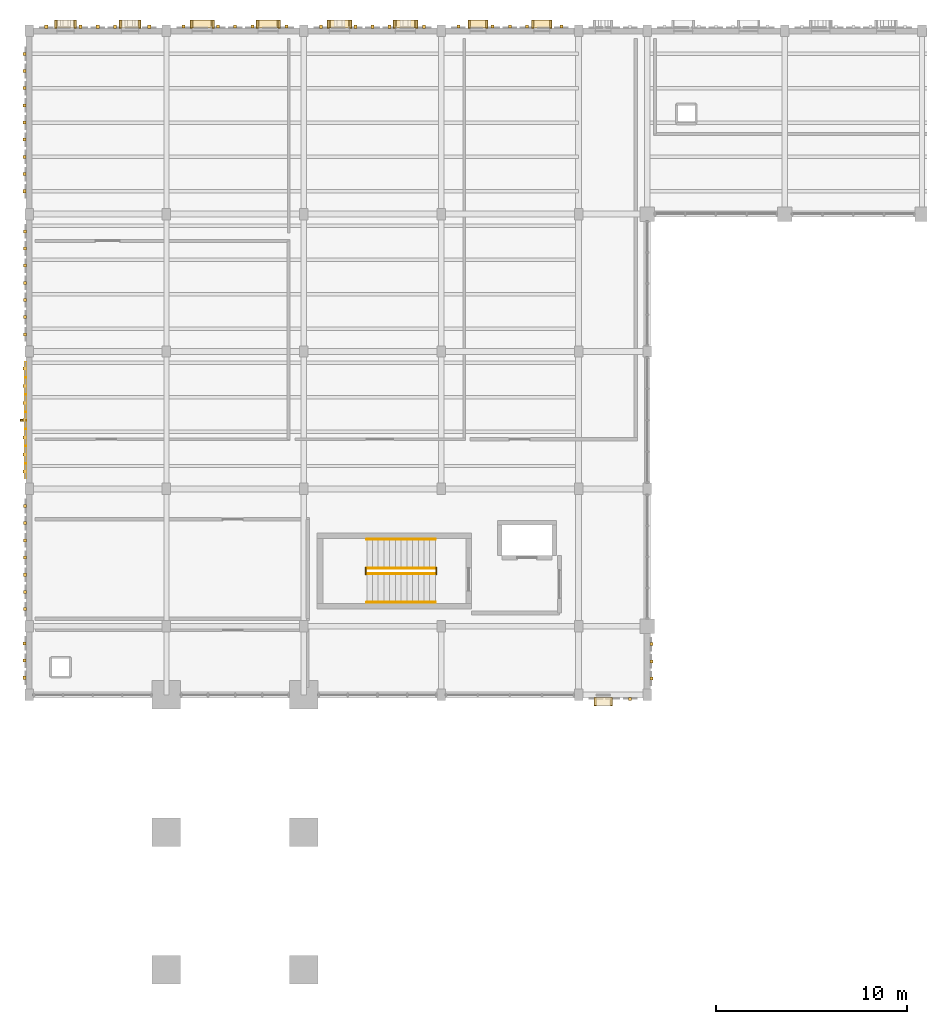
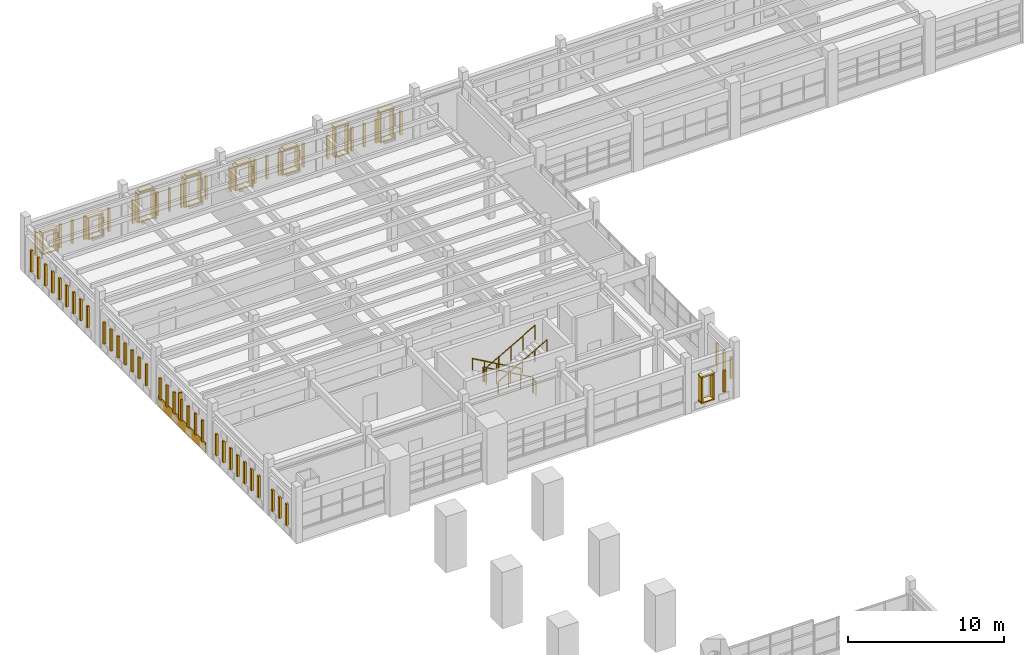
# One storey, part 55 of 69: 98 coverings, 6 railings, 1 shading device.
"""IFC4 building model written with IfcOpenShell, lengths in metres."""

from ifc_helpers import new_model, si_unit, direction, frame, origin, origin_2d, place, context, subcontext, project, spatial, rectangle, circle, extrude, material, layer, layer_set, type_object, element, save


model = new_model("IFC4")

# Units and contexts
model_context = context("Model", 3, precision=1e-05, world=origin(), true_north=direction((0.0, 1.0)))
body_context = subcontext(model_context, "Body", "Model", "MODEL_VIEW")
ifc_project = project(units=[si_unit("LENGTHUNIT", "METRE"), si_unit("AREAUNIT", "SQUARE_METRE"), si_unit("VOLUMEUNIT", "CUBIC_METRE"), si_unit("PLANEANGLEUNIT", "RADIAN"), si_unit("MASSUNIT", "GRAM", prefix="KILO")], contexts=[model_context])

# Site, building, storey
site_placement = place(None, origin())
site = spatial("IfcSite", under=ifc_project, at=site_placement, CompositionType="ELEMENT")
building_placement = place(site_placement, origin())
building = spatial("IfcBuilding", under=site, at=building_placement, Name="Nzembalo Square Collegiate School", CompositionType="ELEMENT")
storey_placement = place(building_placement, frame((0.0, 0.0, 5.10009765625)))
storey = spatial("IfcBuildingStorey", under=building, at=storey_placement, Name="L01", CompositionType="ELEMENT", Elevation=5.10009765625)

# Coverings
ifc_material_1 = material(Name="Glazed cobalt ceramic patterned tile")
ifc_layer_1 = layer(ifc_material_1, 0.074951171875, Name="Glazed cobalt ceramic patterned tile")
ifc_layer_set_1 = layer_set([ifc_layer_1], Name="Glazed cobalt ceramic patterned tile")
covering_type_1 = type_object("IfcCoveringType", Name="CL01", PredefinedType="CLADDING", material=ifc_layer_set_1)
covering_1_placement = place(storey_placement, frame((8.22509765625, 93.60009765625, 0.02001953125), z_axis=(0.0, 0.0, 1.0), x_axis=(1.0, 0.0, 0.0)))
element("IfcCovering", 1, at=covering_1_placement, inside=storey, type_object=covering_type_1, Name="Faience spandrel cladding CL01-0112", PredefinedType="CLADDING", context=body_context, shape_type="SweptSolid", body=[
    extrude(rectangle(XDim=0.034912109375, YDim=6.095947265625, at=origin_2d()), origin(), (0.0, 0.0, 1.0), 0.800048828125),
])
ifc_material_2 = material(Name="Glazed ochre ceramic lancet rib")
ifc_layer_2 = layer(ifc_material_2, 0.159912109375, Name="Glazed ochre ceramic lancet rib")
ifc_layer_set_2 = layer_set([ifc_layer_2], Name="Glazed ochre ceramic lancet rib")
covering_type_2 = type_object("IfcCoveringType", Name="CL02", PredefinedType="CLADDING", material=ifc_layer_set_2)
for number, where, z_axis, x_axis, name in (
    (2, (39.89990234375, 78.97998046875, 0.759765625), (0.0, 0.0, 1.0), (1.0, 0.0, 0.0), "Gothic ceramic rib CL02-X0109-2"),
    (3, (8.169921875, 80.10009765625, 0.759765625), (0.0, 0.0, 1.0), (1.0, 0.0, 0.0), "Gothic ceramic rib CL02-Y0110-0"),
    (4, (8.169921875, 81.0, 0.759765625), (0.0, 0.0, 1.0), (1.0, 0.0, 0.0), "Gothic ceramic rib CL02-Y0110-1"),
    (5, (8.169921875, 81.89990234375, 0.759765625), (0.0, 0.0, 1.0), (1.0, 0.0, 0.0), "Gothic ceramic rib CL02-Y0110-2"),
    (6, (8.179931640625, 83.699951171875, 0.759765625), (0.0, 0.0, 1.0), (1.0, 0.0, 0.0), "Gothic ceramic rib CL02-Y0111-0"),
    (7, (8.179931640625, 84.60009765625, 0.759765625), (0.0, 0.0, 1.0), (1.0, 0.0, 0.0), "Gothic ceramic rib CL02-Y0111-1"),
    (8, (8.179931640625, 85.5, 0.759765625), (0.0, 0.0, 1.0), (1.0, 0.0, 0.0), "Gothic ceramic rib CL02-Y0111-2"),
    (9, (8.179931640625, 86.39990234375, 0.759765625), (0.0, 0.0, 1.0), (1.0, 0.0, 0.0), "Gothic ceramic rib CL02-Y0111-3"),
    (10, (8.179931640625, 87.300048828125, 0.759765625), (0.0, 0.0, 1.0), (1.0, 0.0, 0.0), "Gothic ceramic rib CL02-Y0111-4"),
    (11, (8.179931640625, 88.199951171875, 0.759765625), (0.0, 0.0, 1.0), (1.0, 0.0, 0.0), "Gothic ceramic rib CL02-Y0111-5"),
    (12, (8.179931640625, 89.10009765625, 0.759765625), (0.0, 0.0, 1.0), (1.0, 0.0, 0.0), "Gothic ceramic rib CL02-Y0111-6"),
    (13, (8.169921875, 90.89990234375, 0.759765625), (0.0, 0.0, 1.0), (1.0, 0.0, 0.0), "Gothic ceramic rib CL02-Y0112-0"),
    (14, (8.169921875, 91.800048828125, 0.759765625), (0.0, 0.0, 1.0), (1.0, 0.0, 0.0), "Gothic ceramic rib CL02-Y0112-1"),
    (15, (8.169921875, 92.699951171875, 0.759765625), (0.0, 0.0, 1.0), (1.0, 0.0, 0.0), "Gothic ceramic rib CL02-Y0112-2"),
    (16, (8.169921875, 93.60009765625, 0.759765625), (0.0, 0.0, 1.0), (1.0, 0.0, 0.0), "Gothic ceramic rib CL02-Y0112-3"),
    (17, (8.169921875, 94.5, 0.759765625), (0.0, 0.0, 1.0), (1.0, 0.0, 0.0), "Gothic ceramic rib CL02-Y0112-4"),
    (18, (8.169921875, 95.39990234375, 0.759765625), (0.0, 0.0, 1.0), (1.0, 0.0, 0.0), "Gothic ceramic rib CL02-Y0112-5"),
    (19, (8.169921875, 96.300048828125, 0.759765625), (0.0, 0.0, 1.0), (1.0, 0.0, 0.0), "Gothic ceramic rib CL02-Y0112-6"),
    (20, (8.179931640625, 98.10009765625, 0.759765625), (0.0, 0.0, 1.0), (1.0, 0.0, 0.0), "Gothic ceramic rib CL02-Y0113-0"),
    (21, (8.179931640625, 99.0, 0.759765625), (0.0, 0.0, 1.0), (1.0, 0.0, 0.0), "Gothic ceramic rib CL02-Y0113-1"),
    (22, (8.179931640625, 99.89990234375, 0.759765625), (0.0, 0.0, 1.0), (1.0, 0.0, 0.0), "Gothic ceramic rib CL02-Y0113-2"),
    (23, (8.179931640625, 100.800048828125, 0.759765625), (0.0, 0.0, 1.0), (1.0, 0.0, 0.0), "Gothic ceramic rib CL02-Y0113-3"),
    (24, (8.179931640625, 101.699951171875, 0.759765625), (0.0, 0.0, 1.0), (1.0, 0.0, 0.0), "Gothic ceramic rib CL02-Y0113-4"),
    (25, (8.179931640625, 102.60009765625, 0.759765625), (0.0, 0.0, 1.0), (1.0, 0.0, 0.0), "Gothic ceramic rib CL02-Y0113-5"),
    (26, (8.179931640625, 103.5, 0.759765625), (0.0, 0.0, 1.0), (1.0, 0.0, 0.0), "Gothic ceramic rib CL02-Y0113-6"),
    (27, (8.169921875, 105.60009765625, 0.759765625), (0.0, 0.0, 1.0), (1.0, 0.0, 0.0), "Gothic ceramic rib CL02-Y0114-0"),
    (28, (8.169921875, 106.5, 0.759765625), (0.0, 0.0, 1.0), (1.0, 0.0, 0.0), "Gothic ceramic rib CL02-Y0114-1"),
    (29, (8.169921875, 107.39990234375, 0.759765625), (0.0, 0.0, 1.0), (1.0, 0.0, 0.0), "Gothic ceramic rib CL02-Y0114-2"),
    (30, (8.169921875, 108.300048828125, 0.759765625), (0.0, 0.0, 1.0), (1.0, 0.0, 0.0), "Gothic ceramic rib CL02-Y0114-3"),
    (31, (8.169921875, 109.199951171875, 0.759765625), (0.0, 0.0, 1.0), (1.0, 0.0, 0.0), "Gothic ceramic rib CL02-Y0114-4"),
    (32, (8.169921875, 110.10009765625, 0.759765625), (0.0, 0.0, 1.0), (1.0, 0.0, 0.0), "Gothic ceramic rib CL02-Y0114-5"),
    (33, (8.169921875, 111.0, 0.759765625), (0.0, 0.0, 1.0), (1.0, 0.0, 0.0), "Gothic ceramic rib CL02-Y0114-6"),
    (34, (8.169921875, 111.89990234375, 0.759765625), (0.0, 0.0, 1.0), (1.0, 0.0, 0.0), "Gothic ceramic rib CL02-Y0114-7"),
    (35, (8.169921875, 112.800048828125, 0.759765625), (0.0, 0.0, 1.0), (1.0, 0.0, 0.0), "Gothic ceramic rib CL02-Y0114-8"),
):
    element("IfcCovering", number, at=place(storey_placement, frame(where, z_axis=z_axis, x_axis=x_axis)), inside=storey, type_object=covering_type_2, Name=name, PredefinedType="CLADDING", context=body_context, shape_type="SweptSolid", body=[
        extrude(rectangle(XDim=0.159912109375, YDim=0.159912109375, at=origin_2d()), origin(), (0.0, 0.0, 1.0), 1.674072265625),
    ])
for number, where, z_axis, x_axis, name in (
    (36, (9.300048828125, 114.219970703125, 0.760009765625), (0.0, 0.0, 1.0), (1.0, 0.0, 0.0), "Gothic ceramic rib CL02-X0115-0"),
    (37, (11.10009765625, 114.219970703125, 0.760009765625), (0.0, 0.0, 1.0), (1.0, 0.0, 0.0), "Gothic ceramic rib CL02-X0115-2"),
    (38, (12.0, 114.219970703125, 0.760009765625), (0.0, 0.0, 1.0), (1.0, 0.0, 0.0), "Gothic ceramic rib CL02-X0115-3"),
    (39, (12.89990234375, 114.219970703125, 0.760009765625), (0.0, 0.0, 1.0), (1.0, 0.0, 0.0), "Gothic ceramic rib CL02-X0115-4"),
    (40, (14.699951171875, 114.219970703125, 0.760009765625), (0.0, 0.0, 1.0), (1.0, 0.0, 0.0), "Gothic ceramic rib CL02-X0115-6"),
    (41, (16.5, 114.22998046875, 0.760009765625), (0.0, 0.0, 1.0), (1.0, 0.0, 0.0), "Gothic ceramic rib CL02-X0116-0"),
    (42, (18.300048828125, 114.22998046875, 0.760009765625), (0.0, 0.0, 1.0), (1.0, 0.0, 0.0), "Gothic ceramic rib CL02-X0116-2"),
    (43, (19.199951171875, 114.22998046875, 0.760009765625), (0.0, 0.0, 1.0), (1.0, 0.0, 0.0), "Gothic ceramic rib CL02-X0116-3"),
    (44, (20.10009765625, 114.22998046875, 0.760009765625), (0.0, 0.0, 1.0), (1.0, 0.0, 0.0), "Gothic ceramic rib CL02-X0116-4"),
    (45, (21.89990234375, 114.22998046875, 0.760009765625), (0.0, 0.0, 1.0), (1.0, 0.0, 0.0), "Gothic ceramic rib CL02-X0116-6"),
    (46, (23.699951171875, 114.219970703125, 0.760009765625), (0.0, 0.0, 1.0), (1.0, 0.0, 0.0), "Gothic ceramic rib CL02-X0117-0"),
    (47, (25.5, 114.219970703125, 0.760009765625), (0.0, 0.0, 1.0), (1.0, 0.0, 0.0), "Gothic ceramic rib CL02-X0117-2"),
    (48, (26.39990234375, 114.219970703125, 0.760009765625), (0.0, 0.0, 1.0), (1.0, 0.0, 0.0), "Gothic ceramic rib CL02-X0117-3"),
    (49, (27.300048828125, 114.219970703125, 0.760009765625), (0.0, 0.0, 1.0), (1.0, 0.0, 0.0), "Gothic ceramic rib CL02-X0117-4"),
    (50, (29.10009765625, 114.219970703125, 0.760009765625), (0.0, 0.0, 1.0), (1.0, 0.0, 0.0), "Gothic ceramic rib CL02-X0117-6"),
    (51, (30.89990234375, 114.22998046875, 0.760009765625), (0.0, 0.0, 1.0), (1.0, 0.0, 0.0), "Gothic ceramic rib CL02-X0118-0"),
    (52, (32.699951171875, 114.22998046875, 0.760009765625), (0.0, 0.0, 1.0), (1.0, 0.0, 0.0), "Gothic ceramic rib CL02-X0118-2"),
    (53, (33.60009765625, 114.22998046875, 0.760009765625), (0.0, 0.0, 1.0), (1.0, 0.0, 0.0), "Gothic ceramic rib CL02-X0118-3"),
    (54, (34.5, 114.22998046875, 0.760009765625), (0.0, 0.0, 1.0), (1.0, 0.0, 0.0), "Gothic ceramic rib CL02-X0118-4"),
    (55, (36.300048828125, 114.22998046875, 0.760009765625), (0.0, 0.0, 1.0), (1.0, 0.0, 0.0), "Gothic ceramic rib CL02-X0118-6"),
):
    element("IfcCovering", number, at=place(storey_placement, frame(where, z_axis=z_axis, x_axis=x_axis)), inside=storey, type_object=covering_type_2, Name=name, PredefinedType="CLADDING", context=body_context, shape_type="SweptSolid", body=[
        extrude(rectangle(XDim=0.159912109375, YDim=0.159912109375, at=origin_2d()), origin(), (0.0, 0.0, 1.0), 1.833984375),
    ])
for number, where, z_axis, x_axis, name in (
    (56, (41.030029296875, 80.0625, 0.759765625), (0.0, 0.0, 1.0), (1.0, 0.0, 0.0), "Gothic ceramic rib CL02-Y0146-0"),
    (57, (41.030029296875, 80.96240234375, 0.759765625), (0.0, 0.0, 1.0), (1.0, 0.0, 0.0), "Gothic ceramic rib CL02-Y0146-1"),
    (58, (41.030029296875, 81.862548828125, 0.759765625), (0.0, 0.0, 1.0), (1.0, 0.0, 0.0), "Gothic ceramic rib CL02-Y0146-2"),
):
    element("IfcCovering", number, at=place(storey_placement, frame(where, z_axis=z_axis, x_axis=x_axis)), inside=storey, type_object=covering_type_2, Name=name, PredefinedType="CLADDING", context=body_context, shape_type="SweptSolid", body=[
        extrude(rectangle(XDim=0.159912109375, YDim=0.159912109375, at=origin_2d()), origin(), (0.0, 0.0, 1.0), 1.674072265625),
    ])
ifc_material_3 = material(Name="Glazed celadon ceramic window frame")
ifc_layer_3 = layer(ifc_material_3, 0.419921875, Name="Glazed celadon ceramic window frame")
ifc_layer_set_3 = layer_set([ifc_layer_3], Name="Glazed celadon ceramic window frame")
covering_type_3 = type_object("IfcCoveringType", Name="WF01", PredefinedType="CLADDING", material=ifc_layer_set_3)
covering_2_placement = place(storey_placement, frame((38.497314453125, 78.844970703125, 2.65478515625), z_axis=(0.0, 0.0, 1.0), x_axis=(1.0, 0.0, 0.0)))
element("IfcCovering", 59, at=covering_2_placement, inside=storey, type_object=covering_type_3, Name="Deep lancet window hood WF01-0224", PredefinedType="CLADDING", context=body_context, shape_type="SweptSolid", body=[
    extrude(rectangle(XDim=0.989990234375, YDim=0.419921875, at=origin_2d()), origin(), (0.0, 0.0, 1.0), 0.110107421875),
])
covering_3_placement = place(storey_placement, frame((38.497314453125, 78.844970703125, 0.65478515625), z_axis=(0.0, 0.0, 1.0), x_axis=(1.0, 0.0, 0.0)))
element("IfcCovering", 60, at=covering_3_placement, inside=storey, type_object=covering_type_3, Name="Deep lancet window sill WF01-0224", PredefinedType="CLADDING", context=body_context, shape_type="SweptSolid", body=[
    extrude(rectangle(XDim=0.989990234375, YDim=0.419921875, at=origin_2d()), origin(), (0.0, 0.0, 1.0), 0.090087890625),
])
for number, where, z_axis, x_axis, name in (
    (61, (38.0673828125, 78.844970703125, 0.75), (0.0, 0.0, 1.0), (1.0, 0.0, 0.0), "Deep lancet window jamb WF01-0224L"),
    (62, (38.92724609375, 78.844970703125, 0.75), (0.0, 0.0, 1.0), (1.0, 0.0, 0.0), "Deep lancet window jamb WF01-0224R"),
):
    element("IfcCovering", number, at=place(storey_placement, frame(where, z_axis=z_axis, x_axis=x_axis)), inside=storey, type_object=covering_type_3, Name=name, PredefinedType="CLADDING", context=body_context, shape_type="SweptSolid", body=[
        extrude(rectangle(XDim=0.10009765625, YDim=0.419921875, at=origin_2d()), origin(), (0.0, 0.0, 1.0), 1.89990234375),
    ])
covering_4_placement = place(storey_placement, frame((10.30859375, 114.35498046875, 2.3046875), z_axis=(0.0, 0.0, 1.0), x_axis=(1.0, 0.0, 0.0)))
element("IfcCovering", 63, at=covering_4_placement, inside=storey, type_object=covering_type_3, Name="Deep lancet window hood WF01-0231", PredefinedType="CLADDING", context=body_context, shape_type="SweptSolid", body=[
    extrude(rectangle(XDim=1.139892578125, YDim=0.419921875, at=origin_2d()), origin(), (0.0, 0.0, 1.0), 0.110107421875),
])
covering_5_placement = place(storey_placement, frame((10.30859375, 114.35498046875, 0.65478515625), z_axis=(0.0, 0.0, 1.0), x_axis=(1.0, 0.0, 0.0)))
element("IfcCovering", 64, at=covering_5_placement, inside=storey, type_object=covering_type_3, Name="Deep lancet window sill WF01-0231", PredefinedType="CLADDING", context=body_context, shape_type="SweptSolid", body=[
    extrude(rectangle(XDim=1.139892578125, YDim=0.419921875, at=origin_2d()), origin(), (0.0, 0.0, 1.0), 0.090087890625),
])
for number, where, z_axis, x_axis, name in (
    (65, (9.803466796875, 114.35498046875, 0.75), (0.0, 0.0, 1.0), (1.0, 0.0, 0.0), "Deep lancet window jamb WF01-0231L"),
    (66, (10.8134765625, 114.35498046875, 0.75), (0.0, 0.0, 1.0), (1.0, 0.0, 0.0), "Deep lancet window jamb WF01-0231R"),
):
    element("IfcCovering", number, at=place(storey_placement, frame(where, z_axis=z_axis, x_axis=x_axis)), inside=storey, type_object=covering_type_3, Name=name, PredefinedType="CLADDING", context=body_context, shape_type="SweptSolid", body=[
        extrude(rectangle(XDim=0.10009765625, YDim=0.419921875, at=origin_2d()), origin(), (0.0, 0.0, 1.0), 1.550048828125),
    ])
covering_6_placement = place(storey_placement, frame((13.69140625, 114.35498046875, 2.3046875), z_axis=(0.0, 0.0, 1.0), x_axis=(1.0, 0.0, 0.0)))
element("IfcCovering", 67, at=covering_6_placement, inside=storey, type_object=covering_type_3, Name="Deep lancet window hood WF01-0232", PredefinedType="CLADDING", context=body_context, shape_type="SweptSolid", body=[
    extrude(rectangle(XDim=1.139892578125, YDim=0.419921875, at=origin_2d()), origin(), (0.0, 0.0, 1.0), 0.110107421875),
])
covering_7_placement = place(storey_placement, frame((13.69140625, 114.35498046875, 0.65478515625), z_axis=(0.0, 0.0, 1.0), x_axis=(1.0, 0.0, 0.0)))
element("IfcCovering", 68, at=covering_7_placement, inside=storey, type_object=covering_type_3, Name="Deep lancet window sill WF01-0232", PredefinedType="CLADDING", context=body_context, shape_type="SweptSolid", body=[
    extrude(rectangle(XDim=1.139892578125, YDim=0.419921875, at=origin_2d()), origin(), (0.0, 0.0, 1.0), 0.090087890625),
])
for number, where, z_axis, x_axis, name in (
    (69, (13.1865234375, 114.35498046875, 0.75), (0.0, 0.0, 1.0), (1.0, 0.0, 0.0), "Deep lancet window jamb WF01-0232L"),
    (70, (14.196533203125, 114.35498046875, 0.75), (0.0, 0.0, 1.0), (1.0, 0.0, 0.0), "Deep lancet window jamb WF01-0232R"),
):
    element("IfcCovering", number, at=place(storey_placement, frame(where, z_axis=z_axis, x_axis=x_axis)), inside=storey, type_object=covering_type_3, Name=name, PredefinedType="CLADDING", context=body_context, shape_type="SweptSolid", body=[
        extrude(rectangle(XDim=0.10009765625, YDim=0.419921875, at=origin_2d()), origin(), (0.0, 0.0, 1.0), 1.550048828125),
    ])
covering_8_placement = place(storey_placement, frame((17.470947265625, 114.364990234375, 2.85498046875), z_axis=(0.0, 0.0, 1.0), x_axis=(1.0, 0.0, 0.0)))
element("IfcCovering", 71, at=covering_8_placement, inside=storey, type_object=covering_type_3, Name="Deep lancet window hood WF01-0233", PredefinedType="CLADDING", context=body_context, shape_type="SweptSolid", body=[
    extrude(rectangle(XDim=1.2900390625, YDim=0.419921875, at=origin_2d()), origin(), (0.0, 0.0, 1.0), 0.110107421875),
])
covering_9_placement = place(storey_placement, frame((17.470947265625, 114.364990234375, 2.9599609375), z_axis=(0.0, 0.0, 1.0), x_axis=(1.0, 0.0, 0.0)))
element("IfcCovering", 72, at=covering_9_placement, inside=storey, type_object=covering_type_3, Name="Pointed lancet gable WF01-0233-1", PredefinedType="CLADDING", context=body_context, shape_type="SweptSolid", body=[
    extrude(rectangle(XDim=0.949951171875, YDim=0.419921875, at=origin_2d()), origin(), (0.0, 0.0, 1.0), 0.1201171875),
])
covering_10_placement = place(storey_placement, frame((17.470947265625, 114.364990234375, 0.65478515625), z_axis=(0.0, 0.0, 1.0), x_axis=(1.0, 0.0, 0.0)))
element("IfcCovering", 73, at=covering_10_placement, inside=storey, type_object=covering_type_3, Name="Deep lancet window sill WF01-0233", PredefinedType="CLADDING", context=body_context, shape_type="SweptSolid", body=[
    extrude(rectangle(XDim=1.2900390625, YDim=0.419921875, at=origin_2d()), origin(), (0.0, 0.0, 1.0), 0.090087890625),
])
for number, where, z_axis, x_axis, name in (
    (74, (16.89111328125, 114.364990234375, 0.749755859375), (0.0, 0.0, 1.0), (1.0, 0.0, 0.0), "Deep lancet window jamb WF01-0233L"),
    (75, (18.051025390625, 114.364990234375, 0.749755859375), (0.0, 0.0, 1.0), (1.0, 0.0, 0.0), "Deep lancet window jamb WF01-0233R"),
):
    element("IfcCovering", number, at=place(storey_placement, frame(where, z_axis=z_axis, x_axis=x_axis)), inside=storey, type_object=covering_type_3, Name=name, PredefinedType="CLADDING", context=body_context, shape_type="SweptSolid", body=[
        extrude(rectangle(XDim=0.10009765625, YDim=0.419921875, at=origin_2d()), origin(), (0.0, 0.0, 1.0), 2.10009765625),
    ])
covering_11_placement = place(storey_placement, frame((20.928955078125, 114.364990234375, 2.85498046875), z_axis=(0.0, 0.0, 1.0), x_axis=(1.0, 0.0, 0.0)))
element("IfcCovering", 76, at=covering_11_placement, inside=storey, type_object=covering_type_3, Name="Deep lancet window hood WF01-0234", PredefinedType="CLADDING", context=body_context, shape_type="SweptSolid", body=[
    extrude(rectangle(XDim=1.2900390625, YDim=0.419921875, at=origin_2d()), origin(), (0.0, 0.0, 1.0), 0.110107421875),
])
covering_12_placement = place(storey_placement, frame((20.928955078125, 114.364990234375, 2.9599609375), z_axis=(0.0, 0.0, 1.0), x_axis=(1.0, 0.0, 0.0)))
element("IfcCovering", 77, at=covering_12_placement, inside=storey, type_object=covering_type_3, Name="Pointed lancet gable WF01-0234-1", PredefinedType="CLADDING", context=body_context, shape_type="SweptSolid", body=[
    extrude(rectangle(XDim=0.949951171875, YDim=0.419921875, at=origin_2d()), origin(), (0.0, 0.0, 1.0), 0.1201171875),
])
covering_13_placement = place(storey_placement, frame((20.928955078125, 114.364990234375, 0.65478515625), z_axis=(0.0, 0.0, 1.0), x_axis=(1.0, 0.0, 0.0)))
element("IfcCovering", 78, at=covering_13_placement, inside=storey, type_object=covering_type_3, Name="Deep lancet window sill WF01-0234", PredefinedType="CLADDING", context=body_context, shape_type="SweptSolid", body=[
    extrude(rectangle(XDim=1.2900390625, YDim=0.419921875, at=origin_2d()), origin(), (0.0, 0.0, 1.0), 0.090087890625),
])
for number, where, z_axis, x_axis, name in (
    (79, (20.34912109375, 114.364990234375, 0.749755859375), (0.0, 0.0, 1.0), (1.0, 0.0, 0.0), "Deep lancet window jamb WF01-0234L"),
    (80, (21.509033203125, 114.364990234375, 0.749755859375), (0.0, 0.0, 1.0), (1.0, 0.0, 0.0), "Deep lancet window jamb WF01-0234R"),
):
    element("IfcCovering", number, at=place(storey_placement, frame(where, z_axis=z_axis, x_axis=x_axis)), inside=storey, type_object=covering_type_3, Name=name, PredefinedType="CLADDING", context=body_context, shape_type="SweptSolid", body=[
        extrude(rectangle(XDim=0.10009765625, YDim=0.419921875, at=origin_2d()), origin(), (0.0, 0.0, 1.0), 2.10009765625),
    ])
covering_14_placement = place(storey_placement, frame((24.6708984375, 114.35498046875, 2.455078125), z_axis=(0.0, 0.0, 1.0), x_axis=(1.0, 0.0, 0.0)))
element("IfcCovering", 81, at=covering_14_placement, inside=storey, type_object=covering_type_3, Name="Deep lancet window hood WF01-0235", PredefinedType="CLADDING", context=body_context, shape_type="SweptSolid", body=[
    extrude(rectangle(XDim=1.2900390625, YDim=0.419921875, at=origin_2d()), origin(), (0.0, 0.0, 1.0), 0.110107421875),
])
covering_15_placement = place(storey_placement, frame((24.6708984375, 114.35498046875, 2.559814453125), z_axis=(0.0, 0.0, 1.0), x_axis=(1.0, 0.0, 0.0)))
element("IfcCovering", 82, at=covering_15_placement, inside=storey, type_object=covering_type_3, Name="Pointed lancet gable WF01-0235-1", PredefinedType="CLADDING", context=body_context, shape_type="SweptSolid", body=[
    extrude(rectangle(XDim=0.949951171875, YDim=0.419921875, at=origin_2d()), origin(), (0.0, 0.0, 1.0), 0.1201171875),
])
covering_16_placement = place(storey_placement, frame((24.6708984375, 114.35498046875, 0.65478515625), z_axis=(0.0, 0.0, 1.0), x_axis=(1.0, 0.0, 0.0)))
element("IfcCovering", 83, at=covering_16_placement, inside=storey, type_object=covering_type_3, Name="Deep lancet window sill WF01-0235", PredefinedType="CLADDING", context=body_context, shape_type="SweptSolid", body=[
    extrude(rectangle(XDim=1.2900390625, YDim=0.419921875, at=origin_2d()), origin(), (0.0, 0.0, 1.0), 0.090087890625),
])
for number, where, z_axis, x_axis, name in (
    (84, (24.091064453125, 114.35498046875, 0.75), (0.0, 0.0, 1.0), (1.0, 0.0, 0.0), "Deep lancet window jamb WF01-0235L"),
    (85, (25.2509765625, 114.35498046875, 0.75), (0.0, 0.0, 1.0), (1.0, 0.0, 0.0), "Deep lancet window jamb WF01-0235R"),
):
    element("IfcCovering", number, at=place(storey_placement, frame(where, z_axis=z_axis, x_axis=x_axis)), inside=storey, type_object=covering_type_3, Name=name, PredefinedType="CLADDING", context=body_context, shape_type="SweptSolid", body=[
        extrude(rectangle(XDim=0.10009765625, YDim=0.419921875, at=origin_2d()), origin(), (0.0, 0.0, 1.0), 1.699951171875),
    ])
covering_17_placement = place(storey_placement, frame((28.12890625, 114.35498046875, 2.455078125), z_axis=(0.0, 0.0, 1.0), x_axis=(1.0, 0.0, 0.0)))
element("IfcCovering", 86, at=covering_17_placement, inside=storey, type_object=covering_type_3, Name="Deep lancet window hood WF01-0236", PredefinedType="CLADDING", context=body_context, shape_type="SweptSolid", body=[
    extrude(rectangle(XDim=1.2900390625, YDim=0.419921875, at=origin_2d()), origin(), (0.0, 0.0, 1.0), 0.110107421875),
])
covering_18_placement = place(storey_placement, frame((28.12890625, 114.35498046875, 2.559814453125), z_axis=(0.0, 0.0, 1.0), x_axis=(1.0, 0.0, 0.0)))
element("IfcCovering", 87, at=covering_18_placement, inside=storey, type_object=covering_type_3, Name="Pointed lancet gable WF01-0236-1", PredefinedType="CLADDING", context=body_context, shape_type="SweptSolid", body=[
    extrude(rectangle(XDim=0.949951171875, YDim=0.419921875, at=origin_2d()), origin(), (0.0, 0.0, 1.0), 0.1201171875),
])
covering_19_placement = place(storey_placement, frame((28.12890625, 114.35498046875, 0.65478515625), z_axis=(0.0, 0.0, 1.0), x_axis=(1.0, 0.0, 0.0)))
element("IfcCovering", 88, at=covering_19_placement, inside=storey, type_object=covering_type_3, Name="Deep lancet window sill WF01-0236", PredefinedType="CLADDING", context=body_context, shape_type="SweptSolid", body=[
    extrude(rectangle(XDim=1.2900390625, YDim=0.419921875, at=origin_2d()), origin(), (0.0, 0.0, 1.0), 0.090087890625),
])
for number, where, z_axis, x_axis, name in (
    (89, (27.549072265625, 114.35498046875, 0.75), (0.0, 0.0, 1.0), (1.0, 0.0, 0.0), "Deep lancet window jamb WF01-0236L"),
    (90, (28.708984375, 114.35498046875, 0.75), (0.0, 0.0, 1.0), (1.0, 0.0, 0.0), "Deep lancet window jamb WF01-0236R"),
):
    element("IfcCovering", number, at=place(storey_placement, frame(where, z_axis=z_axis, x_axis=x_axis)), inside=storey, type_object=covering_type_3, Name=name, PredefinedType="CLADDING", context=body_context, shape_type="SweptSolid", body=[
        extrude(rectangle(XDim=0.10009765625, YDim=0.419921875, at=origin_2d()), origin(), (0.0, 0.0, 1.0), 1.699951171875),
    ])
covering_20_placement = place(storey_placement, frame((31.928466796875, 114.364990234375, 2.974609375), z_axis=(0.0, 0.0, 1.0), x_axis=(1.0, 0.0, 0.0)))
element("IfcCovering", 91, at=covering_20_placement, inside=storey, type_object=covering_type_3, Name="Deep lancet window hood WF01-0258", PredefinedType="CLADDING", context=body_context, shape_type="SweptSolid", body=[
    extrude(rectangle(XDim=1.06005859375, YDim=0.419921875, at=origin_2d()), origin(), (0.0, 0.0, 1.0), 0.110107421875),
])
covering_21_placement = place(storey_placement, frame((31.928466796875, 114.364990234375, 0.65478515625), z_axis=(0.0, 0.0, 1.0), x_axis=(1.0, 0.0, 0.0)))
element("IfcCovering", 92, at=covering_21_placement, inside=storey, type_object=covering_type_3, Name="Deep lancet window sill WF01-0258", PredefinedType="CLADDING", context=body_context, shape_type="SweptSolid", body=[
    extrude(rectangle(XDim=1.06005859375, YDim=0.419921875, at=origin_2d()), origin(), (0.0, 0.0, 1.0), 0.090087890625),
])
for number, where, z_axis, x_axis, name in (
    (93, (31.46337890625, 114.364990234375, 0.75), (0.0, 0.0, 1.0), (1.0, 0.0, 0.0), "Deep lancet window jamb WF01-0258L"),
    (94, (32.3935546875, 114.364990234375, 0.75), (0.0, 0.0, 1.0), (1.0, 0.0, 0.0), "Deep lancet window jamb WF01-0258R"),
):
    element("IfcCovering", number, at=place(storey_placement, frame(where, z_axis=z_axis, x_axis=x_axis)), inside=storey, type_object=covering_type_3, Name=name, PredefinedType="CLADDING", context=body_context, shape_type="SweptSolid", body=[
        extrude(rectangle(XDim=0.10009765625, YDim=0.419921875, at=origin_2d()), origin(), (0.0, 0.0, 1.0), 2.219970703125),
    ])
covering_22_placement = place(storey_placement, frame((35.271484375, 114.364990234375, 2.974609375), z_axis=(0.0, 0.0, 1.0), x_axis=(1.0, 0.0, 0.0)))
element("IfcCovering", 95, at=covering_22_placement, inside=storey, type_object=covering_type_3, Name="Deep lancet window hood WF01-0259", PredefinedType="CLADDING", context=body_context, shape_type="SweptSolid", body=[
    extrude(rectangle(XDim=1.06005859375, YDim=0.419921875, at=origin_2d()), origin(), (0.0, 0.0, 1.0), 0.110107421875),
])
covering_23_placement = place(storey_placement, frame((35.271484375, 114.364990234375, 0.65478515625), z_axis=(0.0, 0.0, 1.0), x_axis=(1.0, 0.0, 0.0)))
element("IfcCovering", 96, at=covering_23_placement, inside=storey, type_object=covering_type_3, Name="Deep lancet window sill WF01-0259", PredefinedType="CLADDING", context=body_context, shape_type="SweptSolid", body=[
    extrude(rectangle(XDim=1.06005859375, YDim=0.419921875, at=origin_2d()), origin(), (0.0, 0.0, 1.0), 0.090087890625),
])
for number, where, z_axis, x_axis, name in (
    (97, (34.806396484375, 114.364990234375, 0.75), (0.0, 0.0, 1.0), (1.0, 0.0, 0.0), "Deep lancet window jamb WF01-0259L"),
    (98, (35.736572265625, 114.364990234375, 0.75), (0.0, 0.0, 1.0), (1.0, 0.0, 0.0), "Deep lancet window jamb WF01-0259R"),
):
    element("IfcCovering", number, at=place(storey_placement, frame(where, z_axis=z_axis, x_axis=x_axis)), inside=storey, type_object=covering_type_3, Name=name, PredefinedType="CLADDING", context=body_context, shape_type="SweptSolid", body=[
        extrude(rectangle(XDim=0.10009765625, YDim=0.419921875, at=origin_2d()), origin(), (0.0, 0.0, 1.0), 2.219970703125),
    ])

# Railings
ifc_material_4 = material(Name="Steel S355", Category="steel")
railing_type_1 = type_object("IfcRailingType", Name="GR01", PredefinedType="GUARDRAIL", material=ifc_material_4)
railing_1_placement = place(storey_placement, frame((29.699951171875, 85.85009765625, 0.159912109375)))
element("IfcRailing", 99, at=railing_1_placement, inside=storey, type_object=railing_type_1, Name="Stair guard GR-07-1", PredefinedType="GUARDRAIL", context=body_context, shape_type="SweptSolid", body=[
    extrude(circle(Radius=0.02392578125, at=origin_2d()), frame((0.0, 0.0, 1.1259765625), z_axis=(-0.870009531279, 0.0, 0.493034902907), x_axis=(0.0, -1.0, 0.0)), (0.0, 0.0, 1.0), 4.1376953125),
    extrude(circle(Radius=0.02099609375, at=origin_2d()), origin(), (0.0, 0.0, 1.0), 1.101806640625),
    extrude(circle(Radius=0.02099609375, at=origin_2d()), frame((-0.89990234375, 0.0, 0.510009765625)), (0.0, 0.0, 1.0), 1.101806640625),
    extrude(circle(Radius=0.02099609375, at=origin_2d()), frame((-1.7998046875, 0.0, 1.02001953125)), (0.0, 0.0, 1.0), 1.101806640625),
    extrude(circle(Radius=0.02099609375, at=origin_2d()), frame((-2.699951171875, 0.0, 1.530029296875)), (0.0, 0.0, 1.0), 1.101806640625),
    extrude(circle(Radius=0.02099609375, at=origin_2d()), frame((-3.599853515625, 0.0, 2.0400390625)), (0.0, 0.0, 1.0), 1.101806640625),
])
railing_2_placement = place(storey_placement, frame((26.050048828125, 85.52001953125, 2.204833984375)))
element("IfcRailing", 100, at=railing_2_placement, inside=storey, type_object=railing_type_1, Name="Stair guard GR-07-2", PredefinedType="GUARDRAIL", context=body_context, shape_type="SweptSolid", body=[
    extrude(circle(Radius=0.02392578125, at=origin_2d()), frame((0.0, 0.0, 1.1259765625), z_axis=(0.0, 1.0, 0.0), x_axis=(-1.0, 0.0, 0.0)), (0.0, 0.0, 1.0), 0.35986328125),
    extrude(circle(Radius=0.02099609375, at=origin_2d()), origin(), (0.0, 0.0, 1.0), 1.101806640625),
    extrude(circle(Radius=0.02099609375, at=origin_2d()), frame((0.0, 0.35986328125, 0.0)), (0.0, 0.0, 1.0), 1.101806640625),
])
railing_3_placement = place(storey_placement, frame((26.10009765625, 85.550048828125, 2.369873046875)))
element("IfcRailing", 101, at=railing_3_placement, inside=storey, type_object=railing_type_1, Name="Stair guard GR-07-3", PredefinedType="GUARDRAIL", context=body_context, shape_type="SweptSolid", body=[
    extrude(circle(Radius=0.02392578125, at=origin_2d()), frame((0.0, 0.0, 1.1259765625), z_axis=(0.870009531279, 0.0, 0.493034902907), x_axis=(0.0, 1.0, 0.0)), (0.0, 0.0, 1.0), 4.1376953125),
    extrude(circle(Radius=0.02099609375, at=origin_2d()), origin(), (0.0, 0.0, 1.0), 1.101806640625),
    extrude(circle(Radius=0.02099609375, at=origin_2d()), frame((0.89990234375, 0.0, 0.510009765625)), (0.0, 0.0, 1.0), 1.101806640625),
    extrude(circle(Radius=0.02099609375, at=origin_2d()), frame((1.7998046875, 0.0, 1.02001953125)), (0.0, 0.0, 1.0), 1.101806640625),
    extrude(circle(Radius=0.02099609375, at=origin_2d()), frame((2.699951171875, 0.0, 1.530029296875)), (0.0, 0.0, 1.0), 1.101806640625),
    extrude(circle(Radius=0.02099609375, at=origin_2d()), frame((3.599853515625, 0.0, 2.0400390625)), (0.0, 0.0, 1.0), 1.101806640625),
])
railing_4_placement = place(storey_placement, frame((29.75, 85.52001953125, -0.005126953125)))
element("IfcRailing", 102, at=railing_4_placement, inside=storey, type_object=railing_type_1, Name="Stair guard GR-07-4", PredefinedType="GUARDRAIL", context=body_context, shape_type="SweptSolid", body=[
    extrude(circle(Radius=0.02392578125, at=origin_2d()), frame((0.0, 0.0, 1.1259765625), z_axis=(0.0, 1.0, 0.0), x_axis=(-1.0, 0.0, 0.0)), (0.0, 0.0, 1.0), 0.35986328125),
    extrude(circle(Radius=0.02099609375, at=origin_2d()), origin(), (0.0, 0.0, 1.0), 1.101806640625),
    extrude(circle(Radius=0.02099609375, at=origin_2d()), frame((0.0, 0.35986328125, 0.0)), (0.0, 0.0, 1.0), 1.101806640625),
])
ifc_material_5 = material(Name="Steel S355", Category="steel")
railing_type_2 = type_object("IfcRailingType", Name="HR01", PredefinedType="HANDRAIL", material=ifc_material_5)
railing_5_placement = place(storey_placement, frame((29.699951171875, 87.35009765625, 0.159912109375)))
element("IfcRailing", 103, at=railing_5_placement, inside=storey, type_object=railing_type_2, Name="Stair handrail HR-07-1", PredefinedType="HANDRAIL", context=body_context, shape_type="SweptSolid", body=[
    extrude(circle(Radius=0.02392578125, at=origin_2d()), frame((0.0, 0.0, 0.89599609375), z_axis=(-0.870009531279, 0.0, 0.493034902907), x_axis=(0.0, -1.0, 0.0)), (0.0, 0.0, 1.0), 4.1376953125),
    extrude(circle(Radius=0.02099609375, at=origin_2d()), origin(), (0.0, 0.0, 1.0), 0.871826171875),
    extrude(circle(Radius=0.02099609375, at=origin_2d()), frame((-0.89990234375, 0.0, 0.510009765625)), (0.0, 0.0, 1.0), 0.871826171875),
    extrude(circle(Radius=0.02099609375, at=origin_2d()), frame((-1.7998046875, 0.0, 1.02001953125)), (0.0, 0.0, 1.0), 0.871826171875),
    extrude(circle(Radius=0.02099609375, at=origin_2d()), frame((-2.699951171875, 0.0, 1.530029296875)), (0.0, 0.0, 1.0), 0.871826171875),
    extrude(circle(Radius=0.02099609375, at=origin_2d()), frame((-3.599853515625, 0.0, 2.0400390625)), (0.0, 0.0, 1.0), 0.871826171875),
])
railing_6_placement = place(storey_placement, frame((26.10009765625, 84.050048828125, 2.369873046875)))
element("IfcRailing", 104, at=railing_6_placement, inside=storey, type_object=railing_type_2, Name="Stair handrail HR-07-2", PredefinedType="HANDRAIL", context=body_context, shape_type="SweptSolid", body=[
    extrude(circle(Radius=0.02392578125, at=origin_2d()), frame((0.0, 0.0, 0.89599609375), z_axis=(0.870009531279, 0.0, 0.493034902907), x_axis=(0.0, 1.0, 0.0)), (0.0, 0.0, 1.0), 4.1376953125),
    extrude(circle(Radius=0.02099609375, at=origin_2d()), origin(), (0.0, 0.0, 1.0), 0.871826171875),
    extrude(circle(Radius=0.02099609375, at=origin_2d()), frame((0.89990234375, 0.0, 0.510009765625)), (0.0, 0.0, 1.0), 0.871826171875),
    extrude(circle(Radius=0.02099609375, at=origin_2d()), frame((1.7998046875, 0.0, 1.02001953125)), (0.0, 0.0, 1.0), 0.871826171875),
    extrude(circle(Radius=0.02099609375, at=origin_2d()), frame((2.699951171875, 0.0, 1.530029296875)), (0.0, 0.0, 1.0), 0.871826171875),
    extrude(circle(Radius=0.02099609375, at=origin_2d()), frame((3.599853515625, 0.0, 2.0400390625)), (0.0, 0.0, 1.0), 0.871826171875),
])

# Shading device
ifc_material_6 = material(Name="Glazed ochre ceramic vertical fin")
shading_device_type = type_object("IfcShadingDeviceType", Name="JL01", PredefinedType="JALOUSIE", material=ifc_material_6)
shading_device_placement = place(storey_placement, frame((8.0849609375, 93.60009765625, 0.949951171875), z_axis=(0.0, 0.0, 1.0), x_axis=(1.0, 0.0, 0.0)))
element("IfcShadingDevice", 105, at=shading_device_placement, inside=storey, type_object=shading_device_type, Name="Ceramic fin JL01-0112", PredefinedType="JALOUSIE", context=body_context, shape_type="SweptSolid", body=[
    extrude(rectangle(XDim=0.320068359375, YDim=0.090087890625, at=origin_2d()), origin(), (0.0, 0.0, 1.0), 2.02392578125),
])

save(model, "model.ifc")
